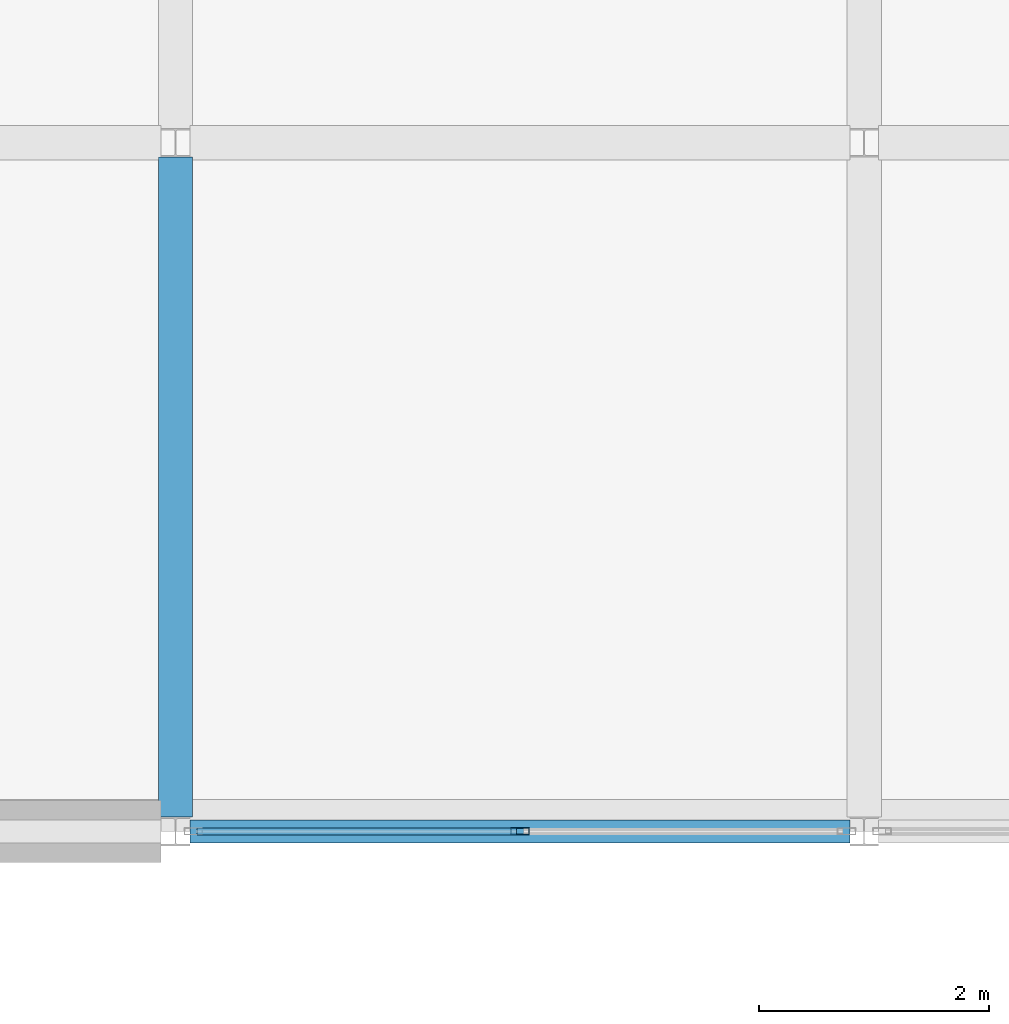
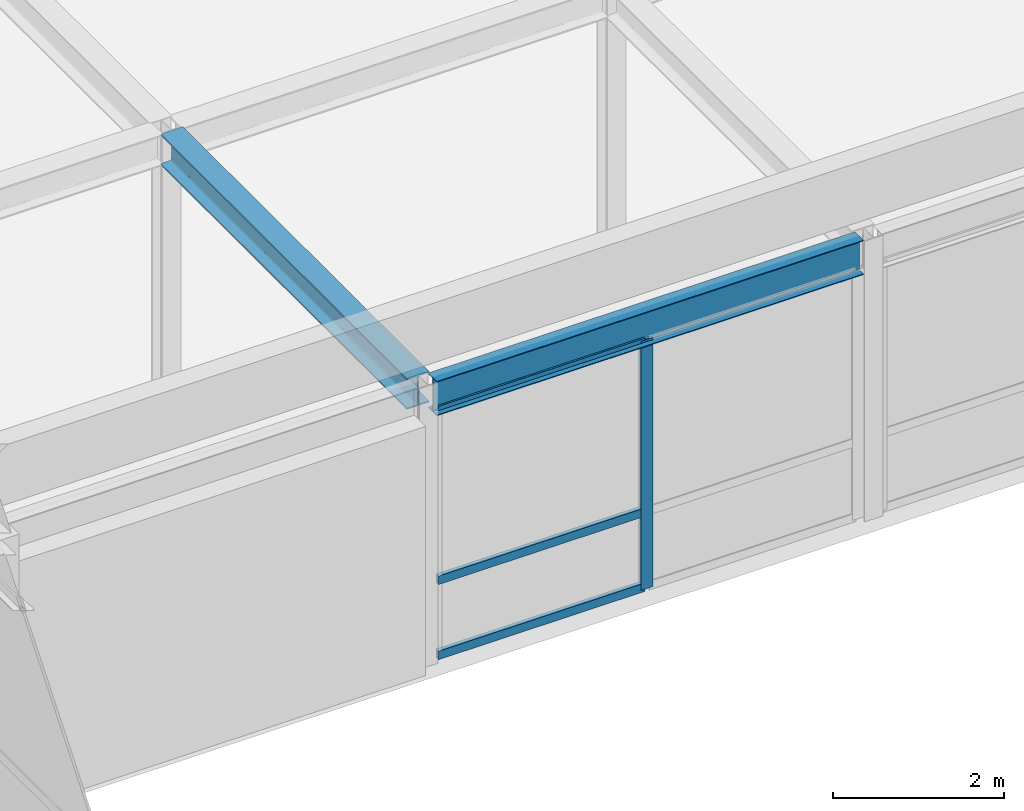
# One storey, part 35 of 111: 4 members, 2 beams, 1 element without a shape of its own.
"""IFC4 building model written with IfcOpenShell, lengths in metres."""

from ifc_helpers import new_model, si_unit, direction, frame, origin, origin_2d, place, context, subcontext, project, spatial, hollow_rectangle, i_section, extrude, material, layer, layer_set, material_profile, profile_set, type_object, element, aggregate, save


model = new_model("IFC4")

# Units and contexts
model_context = context("Model", 3, precision=1e-05, world=origin(), true_north=direction((0.0, 1.0)))
body_context = subcontext(model_context, "Body", "Model", "MODEL_VIEW")
ifc_project = project(units=[si_unit("LENGTHUNIT", "METRE"), si_unit("AREAUNIT", "SQUARE_METRE"), si_unit("VOLUMEUNIT", "CUBIC_METRE"), si_unit("PLANEANGLEUNIT", "RADIAN"), si_unit("MASSUNIT", "GRAM", prefix="KILO")], contexts=[model_context])

# Site, building, storey
site_placement = place(None, origin())
site = spatial("IfcSite", under=ifc_project, at=site_placement, CompositionType="ELEMENT")
building_placement = place(site_placement, origin())
building = spatial("IfcBuilding", under=site, at=building_placement, Name="Zlatovratsky Civic Hall", CompositionType="ELEMENT")
storey_placement = place(building_placement, frame((0.0, 0.0, 16.5)))
storey = spatial("IfcBuildingStorey", under=building, at=storey_placement, Name="L04", CompositionType="ELEMENT", Elevation=16.5)

# Beams
ifc_material_1 = material(Name="Steel S355", Category="steel")
ifc_material_profile_1 = material_profile(ifc_material_1, i_section(OverallWidth=0.198974609375, OverallDepth=0.491943359375, WebThickness=0.0087890625, FlangeThickness=0.011962890625, FilletRadius=0.01611328125, at=origin_2d()), Name="50B1")
ifc_profile_set_1 = profile_set([ifc_material_profile_1], Name="Steel S355")
beam_type_1 = type_object("IfcBeamType", Name="Beam_Spandrel_50B1", PredefinedType="SPANDREL", material=ifc_profile_set_1)
beam_1_placement = place(storey_placement, frame((60.125, 12.0, 3.75390625), z_axis=(1.0, 0.0, 0.0), x_axis=(0.0, 1.0, 0.0)))
element("IfcBeam", 1, at=beam_1_placement, inside=storey, type_object=beam_type_1, Name="BM-3219", PredefinedType="SPANDREL", context=body_context, shape_type="SweptSolid", body=[
    extrude(i_section(OverallWidth=0.198974609375, OverallDepth=0.491943359375, WebThickness=0.0087890625, FlangeThickness=0.011962890625, FilletRadius=0.01611328125, at=origin_2d()), origin(), (0.0, 0.0, 1.0), 5.75),
])
ifc_material_profile_2 = material_profile(ifc_material_1, i_section(OverallWidth=0.300048828125, OverallDepth=0.43994140625, WebThickness=0.010986328125, FlangeThickness=0.01806640625, FilletRadius=0.02197265625, at=origin_2d()), Name="45Sh1")
ifc_profile_set_2 = profile_set([ifc_material_profile_2], Name="Steel S355")
beam_type_2 = type_object("IfcBeamType", Name="Beam_TowerLow_45Sh1", PredefinedType="BEAM", material=ifc_profile_set_2)
beam_2_placement = place(storey_placement, frame((60.0, 12.125, 3.780029296875), z_axis=(0.0, 1.0, 0.0), x_axis=(-1.0, 0.0, 0.0)))
element("IfcBeam", 2, at=beam_2_placement, inside=storey, type_object=beam_type_2, Name="BM-3619", PredefinedType="BEAM", context=body_context, shape_type="SweptSolid", body=[
    extrude(i_section(OverallWidth=0.300048828125, OverallDepth=0.43994140625, WebThickness=0.010986328125, FlangeThickness=0.01806640625, FilletRadius=0.02197265625, at=origin_2d()), origin(), (0.0, 0.0, 1.0), 5.75),
])

# Curtain wall, members
ifc_material_2 = material(Name="Anodised bronze aluminium", Category="aluminium")
ifc_layer = layer(ifc_material_2, 0.159912109375)
ifc_layer_set = layer_set([ifc_layer], Name="Anodised bronze aluminium")
curtain_wall_type = type_object("IfcCurtainWallType", Name="CurtainWall_Bronze_5750x3550_14", PredefinedType="NOTDEFINED", material=ifc_layer_set)
curtain_wall_placement = place(storey_placement, origin())
curtain_wall = element("IfcCurtainWall", 3, at=curtain_wall_placement, inside=storey, type_object=curtain_wall_type, Name="CW-089", PredefinedType="NOTDEFINED")
ifc_material_profile_3 = material_profile(ifc_material_2, hollow_rectangle(XDim=0.06005859375, YDim=0.159912109375, WallThickness=0.00390625, at=origin_2d()), Name="ALU 60x160x4")
ifc_profile_set_3 = profile_set([ifc_material_profile_3], Name="Anodised bronze aluminium")
member_type_1 = type_object("IfcMemberType", Name="CW_Mullion_60x160", PredefinedType="MULLION", material=ifc_profile_set_3)
member_1_placement = place(storey_placement, frame((63.0, 12.0, 0.0), z_axis=(0.0, 0.0, 1.0), x_axis=(0.0, 1.0, 0.0)))
member_1 = element("IfcMember", 4, at=member_1_placement, type_object=member_type_1, Name="CW-14 mullion 2", PredefinedType="MULLION", context=body_context, shape_type="SweptSolid", body=[
    extrude(hollow_rectangle(XDim=0.06005859375, YDim=0.159912109375, WallThickness=0.00390625, at=origin_2d()), origin(), (0.0, 0.0, 1.0), 3.550048828125),
])
ifc_material_profile_4 = material_profile(ifc_material_2, hollow_rectangle(XDim=0.06005859375, YDim=0.1201171875, WallThickness=0.00390625, at=origin_2d()), Name="ALU 60x120x4")
ifc_profile_set_4 = profile_set([ifc_material_profile_4], Name="Anodised bronze aluminium")
member_type_2 = type_object("IfcMemberType", Name="CW_Transom_60x120", PredefinedType="USERDEFINED", material=ifc_profile_set_4)
member_2_placement = place(storey_placement, frame((60.18505859375, 12.0, 0.030029296875), z_axis=(1.0, 0.0, 0.0), x_axis=(0.0, 1.0, 0.0)))
member_2 = element("IfcMember", 5, at=member_2_placement, type_object=member_type_2, Name="CW-14 transom 1.1", ObjectType="TRANSOM", PredefinedType="USERDEFINED", context=body_context, shape_type="SweptSolid", body=[
    extrude(hollow_rectangle(XDim=0.06005859375, YDim=0.1201171875, WallThickness=0.00390625, at=origin_2d()), origin(), (0.0, 0.0, 1.0), 2.784912109375),
])
member_3_placement = place(storey_placement, frame((60.18505859375, 12.0, 1.10009765625), z_axis=(1.0, 0.0, 0.0), x_axis=(0.0, 1.0, 0.0)))
member_3 = element("IfcMember", 6, at=member_3_placement, type_object=member_type_2, Name="CW-14 transom 1.2", ObjectType="TRANSOM", PredefinedType="USERDEFINED", context=body_context, shape_type="SweptSolid", body=[
    extrude(hollow_rectangle(XDim=0.06005859375, YDim=0.1201171875, WallThickness=0.00390625, at=origin_2d()), origin(), (0.0, 0.0, 1.0), 2.784912109375),
])
member_4_placement = place(storey_placement, frame((60.18505859375, 12.0, 3.52001953125), z_axis=(1.0, 0.0, 0.0), x_axis=(0.0, 1.0, 0.0)))
member_4 = element("IfcMember", 7, at=member_4_placement, type_object=member_type_2, Name="CW-14 transom 1.3", ObjectType="TRANSOM", PredefinedType="USERDEFINED", context=body_context, shape_type="SweptSolid", body=[
    extrude(hollow_rectangle(XDim=0.06005859375, YDim=0.1201171875, WallThickness=0.00390625, at=origin_2d()), origin(), (0.0, 0.0, 1.0), 2.784912109375),
])
aggregate(curtain_wall, [member_1, member_2, member_3, member_4])

save(model, "model.ifc")
